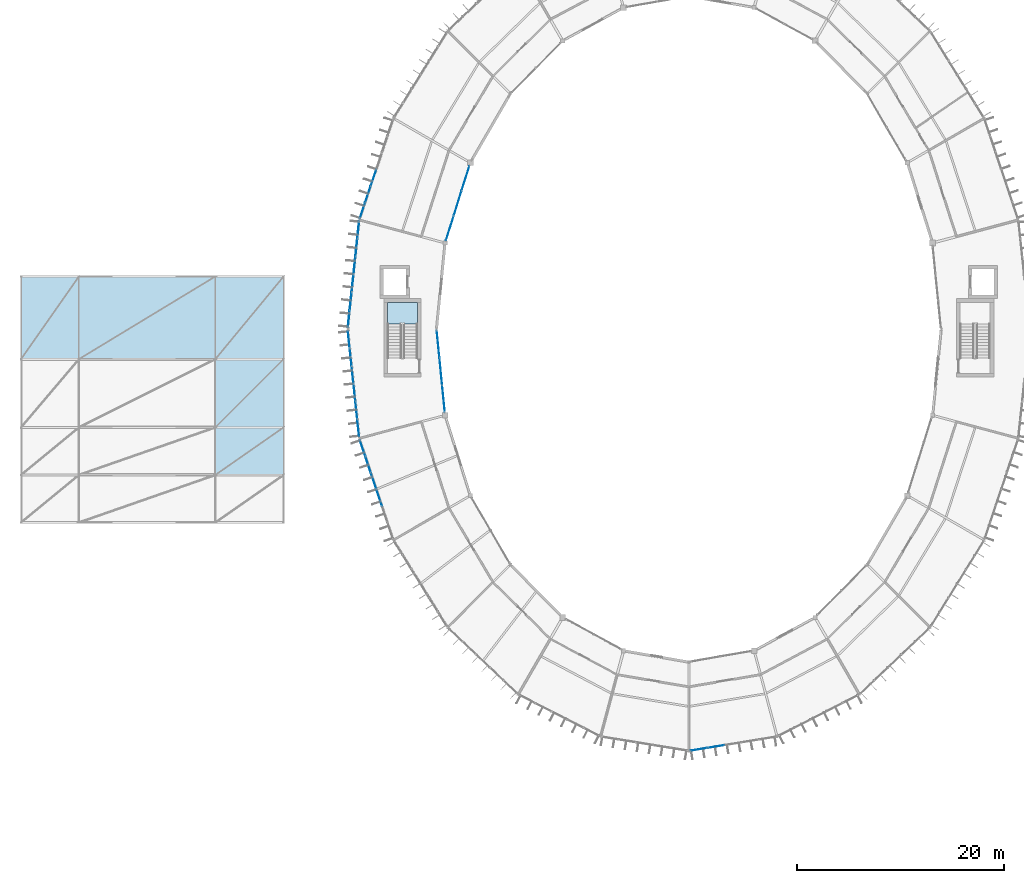
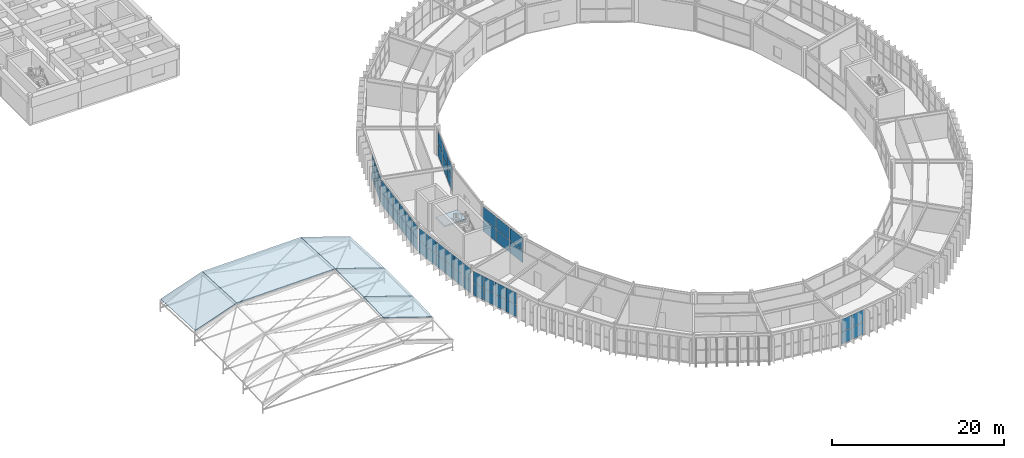
# One storey, part 94 of 134: 54 plates, 6 slabs, 8 elements without a shape of their own.
"""IFC4 building model written with IfcOpenShell, lengths in metres."""

from ifc_helpers import new_model, si_unit, direction, frame, origin, origin_2d, place, context, subcontext, project, spatial, polyline, rectangle, outline, extrude, material, layer, layer_set, type_object, element, aggregate, save


model = new_model("IFC4")

# Units and contexts
model_context = context("Model", 3, precision=1e-05, world=origin(), true_north=direction((0.0, 1.0)))
body_context = subcontext(model_context, "Body", "Model", "MODEL_VIEW")
ifc_project = project(units=[si_unit("LENGTHUNIT", "METRE"), si_unit("AREAUNIT", "SQUARE_METRE"), si_unit("VOLUMEUNIT", "CUBIC_METRE"), si_unit("PLANEANGLEUNIT", "RADIAN"), si_unit("MASSUNIT", "GRAM", prefix="KILO")], contexts=[model_context])

# Site, building, storey
site_placement = place(None, origin())
site = spatial("IfcSite", under=ifc_project, at=site_placement, CompositionType="ELEMENT")
building_placement = place(site_placement, origin())
building = spatial("IfcBuilding", under=site, at=building_placement, Name="Karori Crest Natural Sciences Institute", CompositionType="ELEMENT")
storey_placement = place(building_placement, frame((0.0, 0.0, 21.699951171875)))
storey = spatial("IfcBuildingStorey", under=building, at=storey_placement, Name="L05", CompositionType="ELEMENT", Elevation=21.699951171875)

# Curtain wall, plates
ifc_material_1 = material(Name="Anodised architectural aluminium 6063-T6", Category="aluminium")
curtain_wall_type_1 = type_object("IfcCurtainWallType", Name="CWT-11", PredefinedType="NOTDEFINED", material=ifc_material_1)
curtain_wall_1_placement = place(storey_placement, origin())
curtain_wall_1 = element("IfcCurtainWall", 1, at=curtain_wall_1_placement, inside=storey, type_object=curtain_wall_type_1, Name="Curtain wall CW-0188", PredefinedType="NOTDEFINED")
ifc_material_2 = material(Name="Double low-E laminated glass", Category="glass")
ifc_layer_1 = layer(ifc_material_2, 0.02392578125, Name="Double low-E laminated glass")
ifc_layer_set_1 = layer_set([ifc_layer_1], Name="Double low-E laminated glass")
plate_type_1 = type_object("IfcPlateType", Name="CWP-01", PredefinedType="CURTAIN_PANEL", material=ifc_layer_set_1)
plate_1_placement = place(storey_placement, frame((44.796875, 64.49560546875, 0.06005859375), z_axis=(0.0, 0.0, 1.0), x_axis=(-0.299475254154, -0.954104067778, 0.0)))
plate_1 = element("IfcPlate", 2, at=plate_1_placement, type_object=plate_type_1, Name="CW-0188 panel 1.1", PredefinedType="CURTAIN_PANEL", context=body_context, shape_type="SweptSolid", body=[
    extrude(rectangle(XDim=2.451171875, YDim=0.02392578125, at=origin_2d()), origin(), (0.0, 0.0, 1.0), 1.735107421875),
])
plate_2_placement = place(storey_placement, frame((44.796875, 64.49560546875, 1.85498046875), z_axis=(0.0, 0.0, 1.0), x_axis=(-0.299475254154, -0.954104067778, 0.0)))
plate_2 = element("IfcPlate", 3, at=plate_2_placement, type_object=plate_type_1, Name="CW-0188 panel 1.2", PredefinedType="CURTAIN_PANEL", context=body_context, shape_type="SweptSolid", body=[
    extrude(rectangle(XDim=2.451171875, YDim=0.02392578125, at=origin_2d()), origin(), (0.0, 0.0, 1.0), 1.735107421875),
])
plate_3_placement = place(storey_placement, frame((44.038330078125, 62.07958984375, 0.06005859375), z_axis=(0.0, 0.0, 1.0), x_axis=(-0.299475254154, -0.954104067778, 0.0)))
plate_3 = element("IfcPlate", 4, at=plate_3_placement, type_object=plate_type_1, Name="CW-0188 panel 2.1", PredefinedType="CURTAIN_PANEL", context=body_context, shape_type="SweptSolid", body=[
    extrude(rectangle(XDim=2.483642578125, YDim=0.02392578125, at=origin_2d()), origin(), (0.0, 0.0, 1.0), 1.735107421875),
])
plate_4_placement = place(storey_placement, frame((44.038330078125, 62.07958984375, 1.85498046875), z_axis=(0.0, 0.0, 1.0), x_axis=(-0.299475254154, -0.954104067778, 0.0)))
plate_4 = element("IfcPlate", 5, at=plate_4_placement, type_object=plate_type_1, Name="CW-0188 panel 2.2", PredefinedType="CURTAIN_PANEL", context=body_context, shape_type="SweptSolid", body=[
    extrude(rectangle(XDim=2.483642578125, YDim=0.02392578125, at=origin_2d()), origin(), (0.0, 0.0, 1.0), 1.735107421875),
])
plate_5_placement = place(storey_placement, frame((43.280029296875, 59.663330078125, 0.06005859375), z_axis=(0.0, 0.0, 1.0), x_axis=(-0.299475254154, -0.954104067778, 0.0)))
plate_5 = element("IfcPlate", 6, at=plate_5_placement, type_object=plate_type_1, Name="CW-0188 panel 3.1", PredefinedType="CURTAIN_PANEL", context=body_context, shape_type="SweptSolid", body=[
    extrude(rectangle(XDim=2.451171875, YDim=0.02392578125, at=origin_2d()), origin(), (0.0, 0.0, 1.0), 1.735107421875),
])
plate_6_placement = place(storey_placement, frame((43.280029296875, 59.663330078125, 1.85498046875), z_axis=(0.0, 0.0, 1.0), x_axis=(-0.299475254154, -0.954104067778, 0.0)))
plate_6 = element("IfcPlate", 7, at=plate_6_placement, type_object=plate_type_1, Name="CW-0188 panel 3.2", PredefinedType="CURTAIN_PANEL", context=body_context, shape_type="SweptSolid", body=[
    extrude(rectangle(XDim=2.451171875, YDim=0.02392578125, at=origin_2d()), origin(), (0.0, 0.0, 1.0), 1.735107421875),
])
aggregate(curtain_wall_1, [plate_1, plate_2, plate_3, plate_4, plate_5, plate_6])

curtain_wall_type_2 = type_object("IfcCurtainWallType", Name="CWT-03", PredefinedType="NOTDEFINED", material=ifc_material_1)
curtain_wall_2_placement = place(storey_placement, origin())
curtain_wall_2 = element("IfcCurtainWall", 8, at=curtain_wall_2_placement, inside=storey, type_object=curtain_wall_type_2, Name="Curtain wall CW-0190", PredefinedType="NOTDEFINED")
plate_7_placement = place(storey_placement, frame((34.41796875, 40.34033203125, 0.06494140625), z_axis=(0.0, 0.0, 1.0), x_axis=(-0.105884496939, 0.994378435661, 0.0)))
plate_7 = element("IfcPlate", 9, at=plate_7_placement, type_object=plate_type_1, Name="CW-0190 panel 1.1", PredefinedType="CURTAIN_PANEL", context=body_context, shape_type="SweptSolid", body=[
    extrude(rectangle(XDim=1.630126953125, YDim=0.02392578125, at=origin_2d()), origin(), (0.0, 0.0, 1.0), 1.715087890625),
])
plate_8_placement = place(storey_placement, frame((34.41796875, 40.34033203125, 1.84521484375), z_axis=(0.0, 0.0, 1.0), x_axis=(-0.105884496939, 0.994378435661, 0.0)))
plate_8 = element("IfcPlate", 10, at=plate_8_placement, type_object=plate_type_1, Name="CW-0190 panel 1.2", PredefinedType="CURTAIN_PANEL", context=body_context, shape_type="SweptSolid", body=[
    extrude(rectangle(XDim=1.630126953125, YDim=0.02392578125, at=origin_2d()), origin(), (0.0, 0.0, 1.0), 1.715087890625),
])
plate_9_placement = place(storey_placement, frame((34.23681640625, 42.0419921875, 0.06494140625), z_axis=(0.0, 0.0, 1.0), x_axis=(-0.105884496939, 0.994378435661, 0.0)))
plate_9 = element("IfcPlate", 11, at=plate_9_placement, type_object=plate_type_1, Name="CW-0190 panel 2.1", PredefinedType="CURTAIN_PANEL", context=body_context, shape_type="SweptSolid", body=[
    extrude(rectangle(XDim=1.66259765625, YDim=0.02392578125, at=origin_2d()), origin(), (0.0, 0.0, 1.0), 1.715087890625),
])
plate_10_placement = place(storey_placement, frame((34.23681640625, 42.0419921875, 1.84521484375), z_axis=(0.0, 0.0, 1.0), x_axis=(-0.105884496939, 0.994378435661, 0.0)))
plate_10 = element("IfcPlate", 12, at=plate_10_placement, type_object=plate_type_1, Name="CW-0190 panel 2.2", PredefinedType="CURTAIN_PANEL", context=body_context, shape_type="SweptSolid", body=[
    extrude(rectangle(XDim=1.66259765625, YDim=0.02392578125, at=origin_2d()), origin(), (0.0, 0.0, 1.0), 1.715087890625),
])
plate_11_placement = place(storey_placement, frame((34.0537109375, 43.759765625, 0.06494140625), z_axis=(0.0, 0.0, 1.0), x_axis=(-0.105884496939, 0.994378435661, 0.0)))
plate_11 = element("IfcPlate", 13, at=plate_11_placement, type_object=plate_type_1, Name="CW-0190 panel 3.1", PredefinedType="CURTAIN_PANEL", context=body_context, shape_type="SweptSolid", body=[
    extrude(rectangle(XDim=1.66259765625, YDim=0.02392578125, at=origin_2d()), origin(), (0.0, 0.0, 1.0), 1.715087890625),
])
plate_12_placement = place(storey_placement, frame((34.0537109375, 43.759765625, 1.84521484375), z_axis=(0.0, 0.0, 1.0), x_axis=(-0.105884496939, 0.994378435661, 0.0)))
plate_12 = element("IfcPlate", 14, at=plate_12_placement, type_object=plate_type_1, Name="CW-0190 panel 3.2", PredefinedType="CURTAIN_PANEL", context=body_context, shape_type="SweptSolid", body=[
    extrude(rectangle(XDim=1.66259765625, YDim=0.02392578125, at=origin_2d()), origin(), (0.0, 0.0, 1.0), 1.715087890625),
])
plate_13_placement = place(storey_placement, frame((33.870849609375, 45.4775390625, 0.06494140625), z_axis=(0.0, 0.0, 1.0), x_axis=(-0.105884496939, 0.994378435661, 0.0)))
plate_13 = element("IfcPlate", 15, at=plate_13_placement, type_object=plate_type_1, Name="CW-0190 panel 4.1", PredefinedType="CURTAIN_PANEL", context=body_context, shape_type="SweptSolid", body=[
    extrude(rectangle(XDim=1.66259765625, YDim=0.02392578125, at=origin_2d()), origin(), (0.0, 0.0, 1.0), 1.715087890625),
])
plate_14_placement = place(storey_placement, frame((33.870849609375, 45.4775390625, 1.84521484375), z_axis=(0.0, 0.0, 1.0), x_axis=(-0.105884496939, 0.994378435661, 0.0)))
plate_14 = element("IfcPlate", 16, at=plate_14_placement, type_object=plate_type_1, Name="CW-0190 panel 4.2", PredefinedType="CURTAIN_PANEL", context=body_context, shape_type="SweptSolid", body=[
    extrude(rectangle(XDim=1.66259765625, YDim=0.02392578125, at=origin_2d()), origin(), (0.0, 0.0, 1.0), 1.715087890625),
])
plate_15_placement = place(storey_placement, frame((33.68798828125, 47.1953125, 0.06494140625), z_axis=(0.0, 0.0, 1.0), x_axis=(-0.105884496939, 0.994378435661, 0.0)))
plate_15 = element("IfcPlate", 17, at=plate_15_placement, type_object=plate_type_1, Name="CW-0190 panel 5.1", PredefinedType="CURTAIN_PANEL", context=body_context, shape_type="SweptSolid", body=[
    extrude(rectangle(XDim=1.66259765625, YDim=0.02392578125, at=origin_2d()), origin(), (0.0, 0.0, 1.0), 1.715087890625),
])
plate_16_placement = place(storey_placement, frame((33.68798828125, 47.1953125, 1.84521484375), z_axis=(0.0, 0.0, 1.0), x_axis=(-0.105884496939, 0.994378435661, 0.0)))
plate_16 = element("IfcPlate", 18, at=plate_16_placement, type_object=plate_type_1, Name="CW-0190 panel 5.2", PredefinedType="CURTAIN_PANEL", context=body_context, shape_type="SweptSolid", body=[
    extrude(rectangle(XDim=1.66259765625, YDim=0.02392578125, at=origin_2d()), origin(), (0.0, 0.0, 1.0), 1.715087890625),
])
plate_17_placement = place(storey_placement, frame((33.5068359375, 48.89697265625, 0.06494140625), z_axis=(0.0, 0.0, 1.0), x_axis=(-0.105884496939, 0.994378435661, 0.0)))
plate_17 = element("IfcPlate", 19, at=plate_17_placement, type_object=plate_type_1, Name="CW-0190 panel 6.1", PredefinedType="CURTAIN_PANEL", context=body_context, shape_type="SweptSolid", body=[
    extrude(rectangle(XDim=1.630126953125, YDim=0.02392578125, at=origin_2d()), origin(), (0.0, 0.0, 1.0), 1.715087890625),
])
plate_18_placement = place(storey_placement, frame((33.5068359375, 48.89697265625, 1.84521484375), z_axis=(0.0, 0.0, 1.0), x_axis=(-0.105884496939, 0.994378435661, 0.0)))
plate_18 = element("IfcPlate", 20, at=plate_18_placement, type_object=plate_type_1, Name="CW-0190 panel 6.2", PredefinedType="CURTAIN_PANEL", context=body_context, shape_type="SweptSolid", body=[
    extrude(rectangle(XDim=1.630126953125, YDim=0.02392578125, at=origin_2d()), origin(), (0.0, 0.0, 1.0), 1.715087890625),
])
aggregate(curtain_wall_2, [plate_7, plate_8, plate_9, plate_10, plate_11, plate_12, plate_13, plate_14, plate_15, plate_16, plate_17, plate_18])

curtain_wall_type_3 = type_object("IfcCurtainWallType", Name="CWT-13", PredefinedType="NOTDEFINED", material=ifc_material_1)
curtain_wall_3_placement = place(storey_placement, origin())
curtain_wall_3 = element("IfcCurtainWall", 21, at=curtain_wall_3_placement, inside=storey, type_object=curtain_wall_type_3, Name="Curtain wall CW-0191", PredefinedType="NOTDEFINED")
plate_19_placement = place(storey_placement, frame((42.144287109375, 48.45458984375, 0.06005859375), z_axis=(0.0, 0.0, 1.0), x_axis=(0.099268494275, -0.995060684604, 0.0)))
plate_19 = element("IfcPlate", 22, at=plate_19_placement, type_object=plate_type_1, Name="CW-0191 panel 1.1", PredefinedType="CURTAIN_PANEL", context=body_context, shape_type="SweptSolid", body=[
    extrude(rectangle(XDim=2.568359375, YDim=0.02392578125, at=origin_2d()), origin(), (0.0, 0.0, 1.0), 1.735107421875),
])
plate_20_placement = place(storey_placement, frame((42.144287109375, 48.45458984375, 1.85498046875), z_axis=(0.0, 0.0, 1.0), x_axis=(0.099268494275, -0.995060684604, 0.0)))
plate_20 = element("IfcPlate", 23, at=plate_20_placement, type_object=plate_type_1, Name="CW-0191 panel 1.2", PredefinedType="CURTAIN_PANEL", context=body_context, shape_type="SweptSolid", body=[
    extrude(rectangle(XDim=2.568359375, YDim=0.02392578125, at=origin_2d()), origin(), (0.0, 0.0, 1.0), 1.735107421875),
])
plate_21_placement = place(storey_placement, frame((42.4072265625, 45.818115234375, 0.06005859375), z_axis=(0.0, 0.0, 1.0), x_axis=(0.099268494275, -0.995060684604, 0.0)))
plate_21 = element("IfcPlate", 24, at=plate_21_placement, type_object=plate_type_1, Name="CW-0191 panel 2.1", PredefinedType="CURTAIN_PANEL", context=body_context, shape_type="SweptSolid", body=[
    extrude(rectangle(XDim=2.600830078125, YDim=0.02392578125, at=origin_2d()), origin(), (0.0, 0.0, 1.0), 1.735107421875),
])
plate_22_placement = place(storey_placement, frame((42.4072265625, 45.818115234375, 1.85498046875), z_axis=(0.0, 0.0, 1.0), x_axis=(0.099268494275, -0.995060684604, 0.0)))
plate_22 = element("IfcPlate", 25, at=plate_22_placement, type_object=plate_type_1, Name="CW-0191 panel 2.2", PredefinedType="CURTAIN_PANEL", context=body_context, shape_type="SweptSolid", body=[
    extrude(rectangle(XDim=2.600830078125, YDim=0.02392578125, at=origin_2d()), origin(), (0.0, 0.0, 1.0), 1.735107421875),
])
plate_23_placement = place(storey_placement, frame((42.670166015625, 43.181396484375, 0.06005859375), z_axis=(0.0, 0.0, 1.0), x_axis=(0.099268494275, -0.995060684604, 0.0)))
plate_23 = element("IfcPlate", 26, at=plate_23_placement, type_object=plate_type_1, Name="CW-0191 panel 3.1", PredefinedType="CURTAIN_PANEL", context=body_context, shape_type="SweptSolid", body=[
    extrude(rectangle(XDim=2.568359375, YDim=0.02392578125, at=origin_2d()), origin(), (0.0, 0.0, 1.0), 1.735107421875),
])
plate_24_placement = place(storey_placement, frame((42.670166015625, 43.181396484375, 1.85498046875), z_axis=(0.0, 0.0, 1.0), x_axis=(0.099268494275, -0.995060684604, 0.0)))
plate_24 = element("IfcPlate", 27, at=plate_24_placement, type_object=plate_type_1, Name="CW-0191 panel 3.2", PredefinedType="CURTAIN_PANEL", context=body_context, shape_type="SweptSolid", body=[
    extrude(rectangle(XDim=2.568359375, YDim=0.02392578125, at=origin_2d()), origin(), (0.0, 0.0, 1.0), 1.735107421875),
])
aggregate(curtain_wall_3, [plate_19, plate_20, plate_21, plate_22, plate_23, plate_24])

curtain_wall_type_4 = type_object("IfcCurtainWallType", Name="CWT-09", PredefinedType="NOTDEFINED", material=ifc_material_1)
curtain_wall_4_placement = place(storey_placement, origin())
curtain_wall_4 = element("IfcCurtainWall", 28, at=curtain_wall_4_placement, inside=storey, type_object=curtain_wall_type_4, Name="Curtain wall CW-0199", PredefinedType="NOTDEFINED")
plate_25_placement = place(storey_placement, frame((69.012939453125, 9.525390625, 0.06494140625), z_axis=(0.0, 0.0, 1.0), x_axis=(-0.987011397252, -0.160650246484, 0.0)))
plate_25 = element("IfcPlate", 29, at=plate_25_placement, type_object=plate_type_1, Name="CW-0199 panel 4.1", PredefinedType="CURTAIN_PANEL", context=body_context, shape_type="SweptSolid", body=[
    extrude(rectangle(XDim=1.61474609375, YDim=0.02392578125, at=origin_2d()), origin(), (0.0, 0.0, 1.0), 1.715087890625),
])
plate_26_placement = place(storey_placement, frame((69.012939453125, 9.525390625, 1.84521484375), z_axis=(0.0, 0.0, 1.0), x_axis=(-0.987011397252, -0.160650246484, 0.0)))
plate_26 = element("IfcPlate", 30, at=plate_26_placement, type_object=plate_type_1, Name="CW-0199 panel 4.2", PredefinedType="CURTAIN_PANEL", context=body_context, shape_type="SweptSolid", body=[
    extrude(rectangle(XDim=1.61474609375, YDim=0.02392578125, at=origin_2d()), origin(), (0.0, 0.0, 1.0), 1.715087890625),
])
plate_27_placement = place(storey_placement, frame((67.37109375, 9.258056640625, 0.06494140625), z_axis=(0.0, 0.0, 1.0), x_axis=(-0.987011397252, -0.160650246484, 0.0)))
plate_27 = element("IfcPlate", 31, at=plate_27_placement, type_object=plate_type_1, Name="CW-0199 panel 5.1", PredefinedType="CURTAIN_PANEL", context=body_context, shape_type="SweptSolid", body=[
    extrude(rectangle(XDim=1.582275390625, YDim=0.02392578125, at=origin_2d()), origin(), (0.0, 0.0, 1.0), 1.715087890625),
])
plate_28_placement = place(storey_placement, frame((67.37109375, 9.258056640625, 1.84521484375), z_axis=(0.0, 0.0, 1.0), x_axis=(-0.987011397252, -0.160650246484, 0.0)))
plate_28 = element("IfcPlate", 32, at=plate_28_placement, type_object=plate_type_1, Name="CW-0199 panel 5.2", PredefinedType="CURTAIN_PANEL", context=body_context, shape_type="SweptSolid", body=[
    extrude(rectangle(XDim=1.582275390625, YDim=0.02392578125, at=origin_2d()), origin(), (0.0, 0.0, 1.0), 1.715087890625),
])
aggregate(curtain_wall_4, [plate_25, plate_26, plate_27, plate_28])

curtain_wall_type_5 = type_object("IfcCurtainWallType", Name="CWT-01", PredefinedType="NOTDEFINED", material=ifc_material_1)
curtain_wall_5_placement = place(storey_placement, origin())
curtain_wall_5 = element("IfcCurtainWall", 33, at=curtain_wall_5_placement, inside=storey, type_object=curtain_wall_type_5, Name="Curtain wall CW-0187", PredefinedType="NOTDEFINED")
ifc_layer_2 = layer(ifc_material_2, 0.033935546875, Name="Double low-E laminated glass")
ifc_layer_set_2 = layer_set([ifc_layer_2], Name="Double low-E laminated glass")
plate_type_2 = type_object("IfcPlateType", Name="CWP-02", PredefinedType="CURTAIN_PANEL", material=ifc_layer_set_2)
plate_29_placement = place(storey_placement, frame((34.8251953125, 61.357421875, 0.06494140625), z_axis=(0.0, 0.0, 1.0), x_axis=(0.317679803392, 0.94819805026, 0.0)))
plate_29 = element("IfcPlate", 34, at=plate_29_placement, type_object=plate_type_2, Name="CW-0187 panel 1.1", PredefinedType="CURTAIN_PANEL", context=body_context, shape_type="SweptSolid", body=[
    extrude(rectangle(XDim=1.59619140625, YDim=0.033935546875, at=origin_2d()), origin(), (0.0, 0.0, 1.0), 1.715087890625),
])
plate_30_placement = place(storey_placement, frame((34.8251953125, 61.357421875, 1.84521484375), z_axis=(0.0, 0.0, 1.0), x_axis=(0.317679803392, 0.94819805026, 0.0)))
plate_30 = element("IfcPlate", 35, at=plate_30_placement, type_object=plate_type_2, Name="CW-0187 panel 1.2", PredefinedType="CURTAIN_PANEL", context=body_context, shape_type="SweptSolid", body=[
    extrude(rectangle(XDim=1.59619140625, YDim=0.033935546875, at=origin_2d()), origin(), (0.0, 0.0, 1.0), 1.715087890625),
])
plate_31_placement = place(storey_placement, frame((35.35791015625, 62.947998046875, 0.06494140625), z_axis=(0.0, 0.0, 1.0), x_axis=(0.317679803392, 0.94819805026, 0.0)))
plate_31 = element("IfcPlate", 36, at=plate_31_placement, type_object=plate_type_2, Name="CW-0187 panel 2.1", PredefinedType="CURTAIN_PANEL", context=body_context, shape_type="SweptSolid", body=[
    extrude(rectangle(XDim=1.628662109375, YDim=0.033935546875, at=origin_2d()), origin(), (0.0, 0.0, 1.0), 1.715087890625),
])
plate_32_placement = place(storey_placement, frame((35.35791015625, 62.947998046875, 1.84521484375), z_axis=(0.0, 0.0, 1.0), x_axis=(0.317679803392, 0.94819805026, 0.0)))
plate_32 = element("IfcPlate", 37, at=plate_32_placement, type_object=plate_type_2, Name="CW-0187 panel 2.2", PredefinedType="CURTAIN_PANEL", context=body_context, shape_type="SweptSolid", body=[
    extrude(rectangle(XDim=1.628662109375, YDim=0.033935546875, at=origin_2d()), origin(), (0.0, 0.0, 1.0), 1.715087890625),
])
plate_33_placement = place(storey_placement, frame((35.89599609375, 64.553955078125, 0.06494140625), z_axis=(0.0, 0.0, 1.0), x_axis=(0.317679803392, 0.94819805026, 0.0)))
plate_33 = element("IfcPlate", 38, at=plate_33_placement, type_object=plate_type_2, Name="CW-0187 panel 3.1", PredefinedType="CURTAIN_PANEL", context=body_context, shape_type="SweptSolid", body=[
    extrude(rectangle(XDim=1.628662109375, YDim=0.033935546875, at=origin_2d()), origin(), (0.0, 0.0, 1.0), 1.715087890625),
])
plate_34_placement = place(storey_placement, frame((35.89599609375, 64.553955078125, 1.84521484375), z_axis=(0.0, 0.0, 1.0), x_axis=(0.317679803392, 0.94819805026, 0.0)))
plate_34 = element("IfcPlate", 39, at=plate_34_placement, type_object=plate_type_2, Name="CW-0187 panel 3.2", PredefinedType="CURTAIN_PANEL", context=body_context, shape_type="SweptSolid", body=[
    extrude(rectangle(XDim=1.628662109375, YDim=0.033935546875, at=origin_2d()), origin(), (0.0, 0.0, 1.0), 1.715087890625),
])
aggregate(curtain_wall_5, [plate_29, plate_30, plate_31, plate_32, plate_33, plate_34])

curtain_wall_type_6 = type_object("IfcCurtainWallType", Name="CWT-04", PredefinedType="NOTDEFINED", material=ifc_material_1)
curtain_wall_6_placement = place(storey_placement, origin())
curtain_wall_6 = element("IfcCurtainWall", 40, at=curtain_wall_6_placement, inside=storey, type_object=curtain_wall_type_6, Name="Curtain wall CW-0192", PredefinedType="NOTDEFINED")
plate_35_placement = place(storey_placement, frame((36.449462890625, 33.593994140625, 0.06005859375), z_axis=(0.0, 0.0, 1.0), x_axis=(-0.317679803392, 0.94819805026, 0.0)))
plate_35 = element("IfcPlate", 41, at=plate_35_placement, type_object=plate_type_2, Name="CW-0192 panel 3.1", PredefinedType="CURTAIN_PANEL", context=body_context, shape_type="SweptSolid", body=[
    extrude(rectangle(XDim=1.628662109375, YDim=0.033935546875, at=origin_2d()), origin(), (0.0, 0.0, 1.0), 1.672607421875),
])
plate_36_placement = place(storey_placement, frame((36.449462890625, 33.593994140625, 1.79248046875), z_axis=(0.0, 0.0, 1.0), x_axis=(-0.317679803392, 0.94819805026, 0.0)))
plate_36 = element("IfcPlate", 42, at=plate_36_placement, type_object=plate_type_2, Name="CW-0192 panel 3.2", PredefinedType="CURTAIN_PANEL", context=body_context, shape_type="SweptSolid", body=[
    extrude(rectangle(XDim=1.628662109375, YDim=0.033935546875, at=origin_2d()), origin(), (0.0, 0.0, 1.0), 1.672607421875),
])
plate_37_placement = place(storey_placement, frame((35.911376953125, 35.2001953125, 0.06005859375), z_axis=(0.0, 0.0, 1.0), x_axis=(-0.317679803392, 0.94819805026, 0.0)))
plate_37 = element("IfcPlate", 43, at=plate_37_placement, type_object=plate_type_2, Name="CW-0192 panel 4.1", PredefinedType="CURTAIN_PANEL", context=body_context, shape_type="SweptSolid", body=[
    extrude(rectangle(XDim=1.628662109375, YDim=0.033935546875, at=origin_2d()), origin(), (0.0, 0.0, 1.0), 1.672607421875),
])
plate_38_placement = place(storey_placement, frame((35.911376953125, 35.2001953125, 1.79248046875), z_axis=(0.0, 0.0, 1.0), x_axis=(-0.317679803392, 0.94819805026, 0.0)))
plate_38 = element("IfcPlate", 44, at=plate_38_placement, type_object=plate_type_2, Name="CW-0192 panel 4.2", PredefinedType="CURTAIN_PANEL", context=body_context, shape_type="SweptSolid", body=[
    extrude(rectangle(XDim=1.628662109375, YDim=0.033935546875, at=origin_2d()), origin(), (0.0, 0.0, 1.0), 1.672607421875),
])
plate_39_placement = place(storey_placement, frame((35.373291015625, 36.80615234375, 0.06005859375), z_axis=(0.0, 0.0, 1.0), x_axis=(-0.317679803392, 0.94819805026, 0.0)))
plate_39 = element("IfcPlate", 45, at=plate_39_placement, type_object=plate_type_2, Name="CW-0192 panel 5.1", PredefinedType="CURTAIN_PANEL", context=body_context, shape_type="SweptSolid", body=[
    extrude(rectangle(XDim=1.628662109375, YDim=0.033935546875, at=origin_2d()), origin(), (0.0, 0.0, 1.0), 1.672607421875),
])
plate_40_placement = place(storey_placement, frame((35.373291015625, 36.80615234375, 1.79248046875), z_axis=(0.0, 0.0, 1.0), x_axis=(-0.317679803392, 0.94819805026, 0.0)))
plate_40 = element("IfcPlate", 46, at=plate_40_placement, type_object=plate_type_2, Name="CW-0192 panel 5.2", PredefinedType="CURTAIN_PANEL", context=body_context, shape_type="SweptSolid", body=[
    extrude(rectangle(XDim=1.628662109375, YDim=0.033935546875, at=origin_2d()), origin(), (0.0, 0.0, 1.0), 1.672607421875),
])
plate_41_placement = place(storey_placement, frame((34.840576171875, 38.396728515625, 0.06005859375), z_axis=(0.0, 0.0, 1.0), x_axis=(-0.317679803392, 0.94819805026, 0.0)))
plate_41 = element("IfcPlate", 47, at=plate_41_placement, type_object=plate_type_2, Name="CW-0192 panel 6.1", PredefinedType="CURTAIN_PANEL", context=body_context, shape_type="SweptSolid", body=[
    extrude(rectangle(XDim=1.59619140625, YDim=0.033935546875, at=origin_2d()), origin(), (0.0, 0.0, 1.0), 1.672607421875),
])
plate_42_placement = place(storey_placement, frame((34.840576171875, 38.396728515625, 1.79248046875), z_axis=(0.0, 0.0, 1.0), x_axis=(-0.317679803392, 0.94819805026, 0.0)))
plate_42 = element("IfcPlate", 48, at=plate_42_placement, type_object=plate_type_2, Name="CW-0192 panel 6.2", PredefinedType="CURTAIN_PANEL", context=body_context, shape_type="SweptSolid", body=[
    extrude(rectangle(XDim=1.59619140625, YDim=0.033935546875, at=origin_2d()), origin(), (0.0, 0.0, 1.0), 1.672607421875),
])
aggregate(curtain_wall_6, [plate_35, plate_36, plate_37, plate_38, plate_39, plate_40, plate_41, plate_42])

curtain_wall_type_7 = type_object("IfcCurtainWallType", Name="CWT-02", PredefinedType="NOTDEFINED", material=ifc_material_1)
curtain_wall_7_placement = place(storey_placement, origin())
curtain_wall_7 = element("IfcCurtainWall", 49, at=curtain_wall_7_placement, inside=storey, type_object=curtain_wall_type_7, Name="Curtain wall CW-0189", PredefinedType="NOTDEFINED")
ifc_layer_3 = layer(ifc_material_2, 0.0439453125, Name="Double low-E laminated glass")
ifc_layer_set_3 = layer_set([ifc_layer_3], Name="Double low-E laminated glass")
plate_type_3 = type_object("IfcPlateType", Name="CWP-03", PredefinedType="CURTAIN_PANEL", material=ifc_layer_set_3)
plate_43_placement = place(storey_placement, frame((33.507080078125, 50.906982421875, 0.06005859375), z_axis=(0.0, 0.0, 1.0), x_axis=(0.105885677057, 0.994378309998, 0.0)))
plate_43 = element("IfcPlate", 50, at=plate_43_placement, type_object=plate_type_3, Name="CW-0189 panel 1.1", PredefinedType="CURTAIN_PANEL", context=body_context, shape_type="SweptSolid", body=[
    extrude(rectangle(XDim=1.6376953125, YDim=0.0439453125, at=origin_2d()), origin(), (0.0, 0.0, 1.0), 1.722412109375),
])
plate_44_placement = place(storey_placement, frame((33.507080078125, 50.906982421875, 1.8427734375), z_axis=(0.0, 0.0, 1.0), x_axis=(0.105885677057, 0.994378309998, 0.0)))
plate_44 = element("IfcPlate", 51, at=plate_44_placement, type_object=plate_type_3, Name="CW-0189 panel 1.2", PredefinedType="CURTAIN_PANEL", context=body_context, shape_type="SweptSolid", body=[
    extrude(rectangle(XDim=1.6376953125, YDim=0.0439453125, at=origin_2d()), origin(), (0.0, 0.0, 1.0), 1.722412109375),
])
plate_45_placement = place(storey_placement, frame((33.689208984375, 52.6162109375, 0.06005859375), z_axis=(0.0, 0.0, 1.0), x_axis=(0.105885677057, 0.994378309998, 0.0)))
plate_45 = element("IfcPlate", 52, at=plate_45_placement, type_object=plate_type_3, Name="CW-0189 panel 2.1", PredefinedType="CURTAIN_PANEL", context=body_context, shape_type="SweptSolid", body=[
    extrude(rectangle(XDim=1.670166015625, YDim=0.0439453125, at=origin_2d()), origin(), (0.0, 0.0, 1.0), 1.722412109375),
])
plate_46_placement = place(storey_placement, frame((33.689208984375, 52.6162109375, 1.8427734375), z_axis=(0.0, 0.0, 1.0), x_axis=(0.105885677057, 0.994378309998, 0.0)))
plate_46 = element("IfcPlate", 53, at=plate_46_placement, type_object=plate_type_3, Name="CW-0189 panel 2.2", PredefinedType="CURTAIN_PANEL", context=body_context, shape_type="SweptSolid", body=[
    extrude(rectangle(XDim=1.670166015625, YDim=0.0439453125, at=origin_2d()), origin(), (0.0, 0.0, 1.0), 1.722412109375),
])
plate_47_placement = place(storey_placement, frame((33.873046875, 54.341552734375, 0.06005859375), z_axis=(0.0, 0.0, 1.0), x_axis=(0.105885677057, 0.994378309998, 0.0)))
plate_47 = element("IfcPlate", 54, at=plate_47_placement, type_object=plate_type_3, Name="CW-0189 panel 3.1", PredefinedType="CURTAIN_PANEL", context=body_context, shape_type="SweptSolid", body=[
    extrude(rectangle(XDim=1.670166015625, YDim=0.0439453125, at=origin_2d()), origin(), (0.0, 0.0, 1.0), 1.722412109375),
])
plate_48_placement = place(storey_placement, frame((33.873046875, 54.341552734375, 1.8427734375), z_axis=(0.0, 0.0, 1.0), x_axis=(0.105885677057, 0.994378309998, 0.0)))
plate_48 = element("IfcPlate", 55, at=plate_48_placement, type_object=plate_type_3, Name="CW-0189 panel 3.2", PredefinedType="CURTAIN_PANEL", context=body_context, shape_type="SweptSolid", body=[
    extrude(rectangle(XDim=1.670166015625, YDim=0.0439453125, at=origin_2d()), origin(), (0.0, 0.0, 1.0), 1.722412109375),
])
plate_49_placement = place(storey_placement, frame((34.056640625, 56.067138671875, 0.06005859375), z_axis=(0.0, 0.0, 1.0), x_axis=(0.105885677057, 0.994378309998, 0.0)))
plate_49 = element("IfcPlate", 56, at=plate_49_placement, type_object=plate_type_3, Name="CW-0189 panel 4.1", PredefinedType="CURTAIN_PANEL", context=body_context, shape_type="SweptSolid", body=[
    extrude(rectangle(XDim=1.670166015625, YDim=0.0439453125, at=origin_2d()), origin(), (0.0, 0.0, 1.0), 1.722412109375),
])
plate_50_placement = place(storey_placement, frame((34.056640625, 56.067138671875, 1.8427734375), z_axis=(0.0, 0.0, 1.0), x_axis=(0.105885677057, 0.994378309998, 0.0)))
plate_50 = element("IfcPlate", 57, at=plate_50_placement, type_object=plate_type_3, Name="CW-0189 panel 4.2", PredefinedType="CURTAIN_PANEL", context=body_context, shape_type="SweptSolid", body=[
    extrude(rectangle(XDim=1.670166015625, YDim=0.0439453125, at=origin_2d()), origin(), (0.0, 0.0, 1.0), 1.722412109375),
])
plate_51_placement = place(storey_placement, frame((34.240478515625, 57.79248046875, 0.06005859375), z_axis=(0.0, 0.0, 1.0), x_axis=(0.105885677057, 0.994378309998, 0.0)))
plate_51 = element("IfcPlate", 58, at=plate_51_placement, type_object=plate_type_3, Name="CW-0189 panel 5.1", PredefinedType="CURTAIN_PANEL", context=body_context, shape_type="SweptSolid", body=[
    extrude(rectangle(XDim=1.670166015625, YDim=0.0439453125, at=origin_2d()), origin(), (0.0, 0.0, 1.0), 1.722412109375),
])
plate_52_placement = place(storey_placement, frame((34.240478515625, 57.79248046875, 1.8427734375), z_axis=(0.0, 0.0, 1.0), x_axis=(0.105885677057, 0.994378309998, 0.0)))
plate_52 = element("IfcPlate", 59, at=plate_52_placement, type_object=plate_type_3, Name="CW-0189 panel 5.2", PredefinedType="CURTAIN_PANEL", context=body_context, shape_type="SweptSolid", body=[
    extrude(rectangle(XDim=1.670166015625, YDim=0.0439453125, at=origin_2d()), origin(), (0.0, 0.0, 1.0), 1.722412109375),
])
plate_53_placement = place(storey_placement, frame((34.42236328125, 59.501708984375, 0.06005859375), z_axis=(0.0, 0.0, 1.0), x_axis=(0.105885677057, 0.994378309998, 0.0)))
plate_53 = element("IfcPlate", 60, at=plate_53_placement, type_object=plate_type_3, Name="CW-0189 panel 6.1", PredefinedType="CURTAIN_PANEL", context=body_context, shape_type="SweptSolid", body=[
    extrude(rectangle(XDim=1.6376953125, YDim=0.0439453125, at=origin_2d()), origin(), (0.0, 0.0, 1.0), 1.722412109375),
])
plate_54_placement = place(storey_placement, frame((34.42236328125, 59.501708984375, 1.8427734375), z_axis=(0.0, 0.0, 1.0), x_axis=(0.105885677057, 0.994378309998, 0.0)))
plate_54 = element("IfcPlate", 61, at=plate_54_placement, type_object=plate_type_3, Name="CW-0189 panel 6.2", PredefinedType="CURTAIN_PANEL", context=body_context, shape_type="SweptSolid", body=[
    extrude(rectangle(XDim=1.6376953125, YDim=0.0439453125, at=origin_2d()), origin(), (0.0, 0.0, 1.0), 1.722412109375),
])
aggregate(curtain_wall_7, [plate_43, plate_44, plate_45, plate_46, plate_47, plate_48, plate_49, plate_50, plate_51, plate_52, plate_53, plate_54])

# Stair, slab
ifc_material_3 = material(Name="Concrete 40 MPa", Category="concrete")
stair_type = type_object("IfcStairType", Name="STT-01", PredefinedType="HALF_TURN_STAIR", material=ifc_material_3)
stair_placement = place(storey_placement, origin())
stair = element("IfcStair", 62, at=stair_placement, inside=storey, type_object=stair_type, Name="Protected stair ST-02-L05", PredefinedType="HALF_TURN_STAIR")
ifc_layer_4 = layer(ifc_material_3, 0.2099609375, Name="Concrete 40 MPa")
ifc_layer_set_4 = layer_set([ifc_layer_4], Name="Concrete 40 MPa")
slab_type_1 = type_object("IfcSlabType", Name="SLT-11", PredefinedType="LANDING", material=ifc_layer_set_4)
slab_1_placement = place(storey_placement, frame((0.0, 0.0, 1.89013671875)))
slab_1 = element("IfcSlab", 63, at=slab_1_placement, type_object=slab_type_1, Name="ST-02-L05 landing 1", PredefinedType="LANDING", context=body_context, shape_type="SweptSolid", body=[
    extrude(outline(polyline([(40.14990234375, 50.39990234375), (40.14990234375, 52.5), (37.25, 52.5), (37.25, 50.39990234375), (40.14990234375, 50.39990234375)])), origin(), (0.0, 0.0, 1.0), 0.2099609375),
])
aggregate(stair, [slab_1])

# Slabs
ifc_material_4 = material(Name="Glulam GL12 insulated roof panel", Category="wood")
ifc_layer_5 = layer(ifc_material_4, 0.1201171875, Name="Glulam GL12 insulated roof panel")
ifc_layer_set_5 = layer_set([ifc_layer_5], Name="Glulam GL12 insulated roof panel")
slab_type_2 = type_object("IfcSlabType", Name="SLT-15", PredefinedType="ROOF", material=ifc_layer_set_5)
slab_2_placement = place(storey_placement, frame((20.622802734375, 35.803955078125, 3.791748046875), z_axis=(0.315074877473, -0.034012140917, 0.948457166063), x_axis=(0.949006248441, 5.70161e-07, -0.315257260692)))
element("IfcSlab", 64, at=slab_2_placement, inside=storey, type_object=slab_type_2, Name="V3 Gridshell roof SL-0144", PredefinedType="ROOF", context=body_context, shape_type="SweptSolid", body=[
    extrude(outline(polyline([(0.0, 0.0), (6.906600342469514, 1.3877787807814457e-17), (6.854727132130067, 4.594695507368981), (-0.05195017744410861, 4.594703387719053), (0.0, 0.0)])), origin(), (0.0, 0.0, -1.0), 0.1201171875),
])
slab_3_placement = place(storey_placement, frame((20.622802734375, 40.404052734375, 3.95654296875), z_axis=(0.31525435711, 0.0043054771, 0.948997446356), x_axis=(0.949006242422, -7.2216e-08, -0.315257278811)))
element("IfcSlab", 65, at=slab_3_placement, inside=storey, type_object=slab_type_2, Name="V3 Gridshell roof SL-0147", PredefinedType="ROOF", context=body_context, shape_type="SweptSolid", body=[
    extrude(outline(polyline([(0.0, 0.0), (6.906600342468409, 1.734723475976807e-18), (6.916066820836508, 6.59210261469893), (0.009389511259014055, 6.592101617153175), (0.0, 0.0)])), origin(), (0.0, 0.0, -1.0), 0.1201171875),
])
slab_4_placement = place(storey_placement, frame((1.82275390625, 47.00390625, 1.74951171875), z_axis=(-0.329892897424, 0.046170895544, 0.942888606694), x_axis=(0.943895218511, 0.0, 0.330245085462)))
element("IfcSlab", 66, at=slab_4_placement, inside=storey, type_object=slab_type_2, Name="V3 Gridshell roof SL-0148", PredefinedType="ROOF", context=body_context, shape_type="SweptSolid", body=[
    extrude(outline(polyline([(0.0, 0.0), (5.884597411285281, 1.3877787807814457e-17), (5.755353546051942, 8.000719823247932), (-0.12924386523333917, 8.000719823247932), (0.0, 0.0)])), origin(), (0.0, 0.0, -1.0), 0.1201171875),
])
slab_5_placement = place(storey_placement, frame((7.424072265625, 47.00390625, 3.701171875), z_axis=(-0.017639022434, 0.048886069591, 0.998648595397), x_axis=(0.999844047218, -4.53057e-07, 0.017660159749)))
element("IfcSlab", 67, at=slab_5_placement, inside=storey, type_object=slab_type_2, Name="V3 Gridshell roof SL-0149", PredefinedType="ROOF", context=body_context, shape_type="SweptSolid", body=[
    extrude(outline(polyline([(0.0, 0.0), (13.15390900774393, -3.469446951953614e-18), (13.146993952236638, 8.001760670874837), (-0.006910743944855056, 8.001748737662513), (0.0, 0.0)])), origin(), (0.0, 0.0, -1.0), 0.1201171875),
])
slab_6_placement = place(storey_placement, frame((20.622802734375, 47.00390625, 3.926513671875), z_axis=(0.314917641434, 0.046405917377, 0.947983844771), x_axis=(0.949006230937, 7.77526e-07, -0.315257313385)))
element("IfcSlab", 68, at=slab_6_placement, inside=storey, type_object=slab_type_2, Name="V3 Gridshell roof SL-0150", PredefinedType="ROOF", context=body_context, shape_type="SweptSolid", body=[
    extrude(outline(polyline([(0.0, 0.0), (6.906677309579639, -1.3877787807814457e-17), (7.029984845993173, 8.00080157684208), (0.12338450353105881, 8.000812328614513), (0.0, 0.0)])), origin(), (0.0, 0.0, -1.0), 0.1201171875),
])

save(model, "model.ifc")
